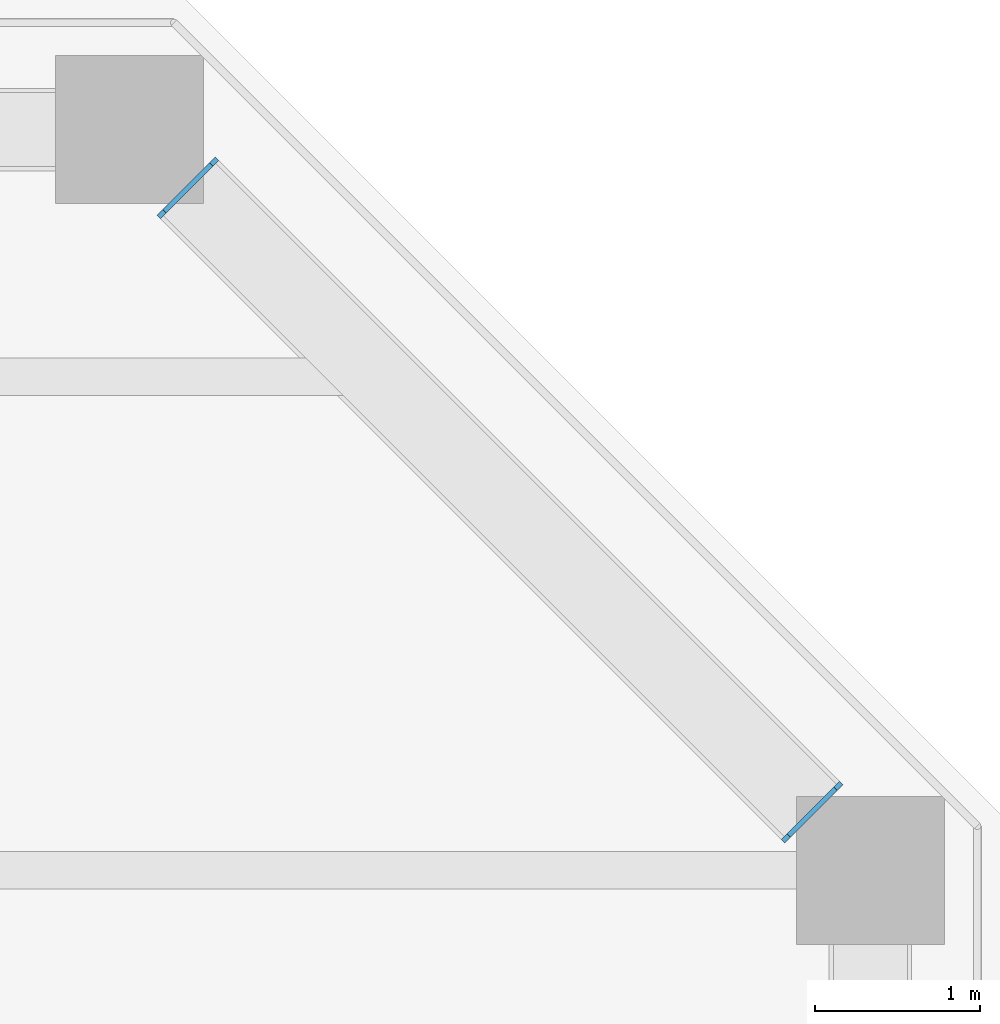
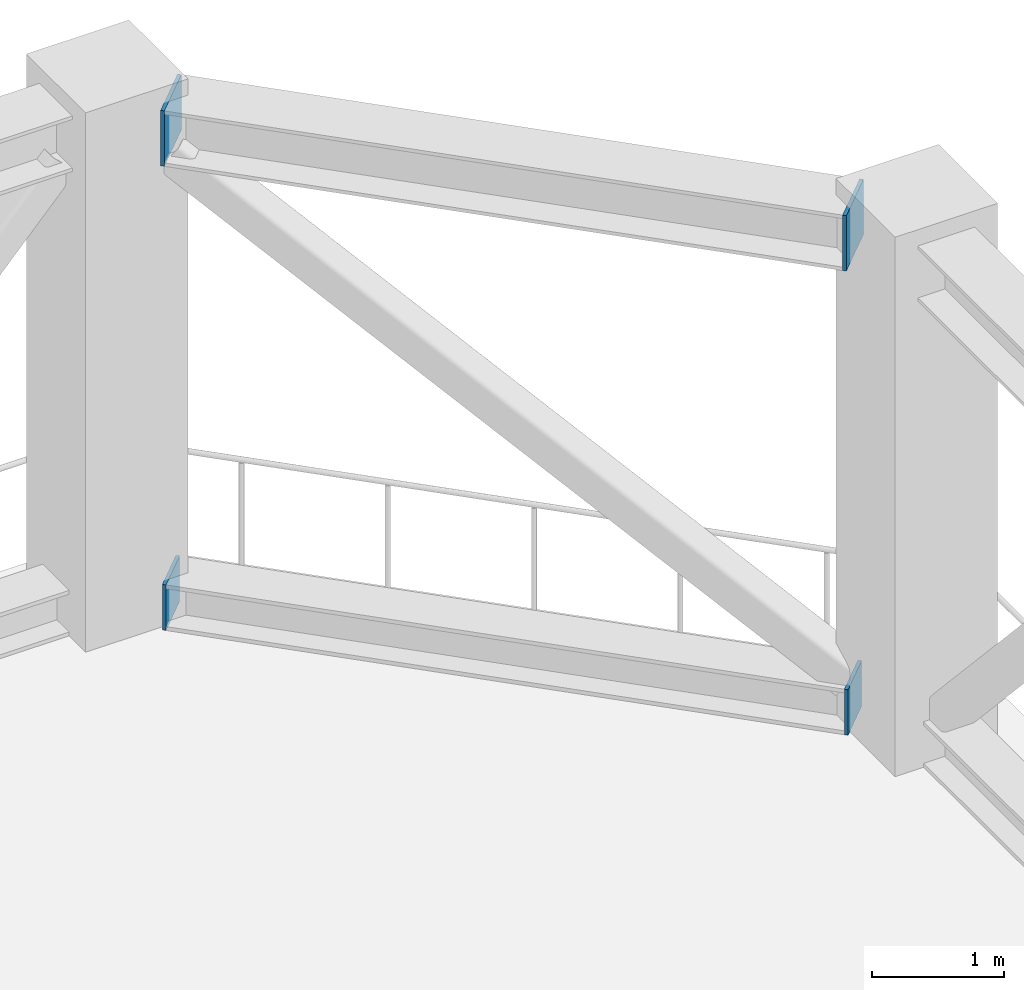
# One storey, part 11 of 13: 4 discrete accessories.
"""IFC4 building model written with IfcOpenShell, lengths in metres."""

from ifc_helpers import new_model, si_unit, direction, frame, origin, origin_2d, place, context, subcontext, project, spatial, rectangle, extrude, material, element, save


model = new_model("IFC4")

# Units and contexts
model_context = context("Model", 3, precision=1e-05, world=origin(), true_north=direction((0.0, 1.0)))
body_context = subcontext(model_context, "Body", "Model", "MODEL_VIEW")
ifc_project = project(units=[si_unit("LENGTHUNIT", "METRE"), si_unit("AREAUNIT", "SQUARE_METRE"), si_unit("VOLUMEUNIT", "CUBIC_METRE"), si_unit("PLANEANGLEUNIT", "RADIAN"), si_unit("MASSUNIT", "GRAM", prefix="KILO")], contexts=[model_context])

# Site, building, storey
site_placement = place(None, origin())
site = spatial("IfcSite", under=ifc_project, at=site_placement, CompositionType="ELEMENT")
building_placement = place(site_placement, origin())
building = spatial("IfcBuilding", under=site, at=building_placement, Name="Quoin Convention Tower", CompositionType="ELEMENT")
storey_placement = place(building_placement, frame((0.0, 0.0, 206.89990234375)))
storey = spatial("IfcBuildingStorey", under=building, at=storey_placement, Name="L54", CompositionType="ELEMENT", Elevation=206.89990234375)

# Discrete accessories
ifc_material = material(Name="Steel Grade 350", Category="steel")
for number, where, z_axis, x_axis, name in (
    (1, (76.1455078125, 76.8544921875, 0.0), (0.0, 0.0, 1.0), (0.707106781187, -0.707106781187, 0.0), "TRUSS END PLATE TRS-L54-BC-76500_76500-72000_81000 A"),
    (2, (72.3544921875, 80.6455078125, 0.0), (0.0, 0.0, 1.0), (-0.707106781187, 0.707106781187, 0.0), "TRUSS END PLATE TRS-L54-BC-76500_76500-72000_81000 B"),
):
    element("IfcDiscreteAccessory", number, at=place(storey_placement, frame(where, z_axis=z_axis, x_axis=x_axis)), inside=storey, material=ifc_material, Name=name, ObjectType="Truss end plate", PredefinedType="USERDEFINED", context=body_context, shape_type="SweptSolid", body=[
        extrude(rectangle(XDim=0.030029296875, YDim=0.39990234375, at=origin_2d()), origin(), (0.0, 0.0, 1.0), 0.422119140625),
    ])
for number, where, z_axis, x_axis, name in (
    (3, (76.1455078125, 76.8544921875, 4.3359375), (0.0, 0.0, 1.0), (0.707106781187, -0.707106781187, 0.0), "TRUSS END PLATE TRS-L54-TC-76500_76500-72000_81000 A"),
    (4, (72.3544921875, 80.6455078125, 4.3359375), (0.0, 0.0, 1.0), (-0.707106781187, 0.707106781187, 0.0), "TRUSS END PLATE TRS-L54-TC-76500_76500-72000_81000 B"),
):
    element("IfcDiscreteAccessory", number, at=place(storey_placement, frame(where, z_axis=z_axis, x_axis=x_axis)), inside=storey, material=ifc_material, Name=name, ObjectType="Truss end plate", PredefinedType="USERDEFINED", context=body_context, shape_type="SweptSolid", body=[
        extrude(rectangle(XDim=0.030029296875, YDim=0.5, at=origin_2d()), origin(), (0.0, 0.0, 1.0), 0.513916015625),
    ])

save(model, "model.ifc")
